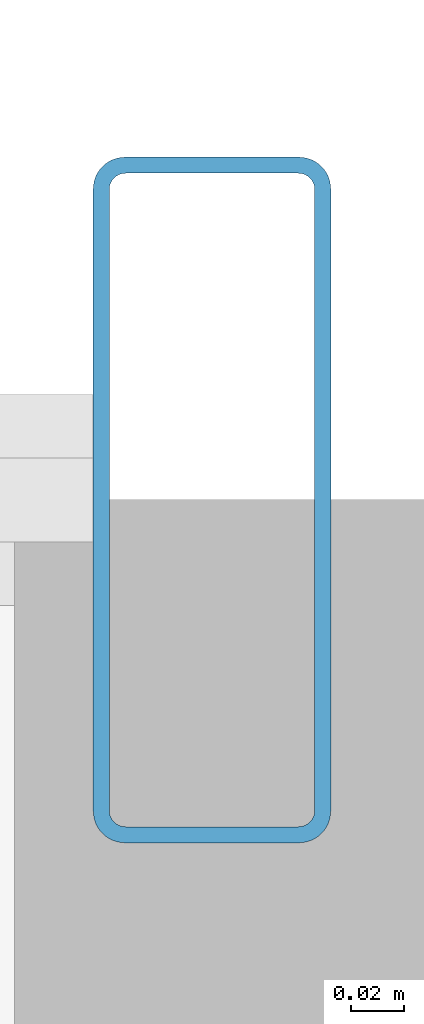
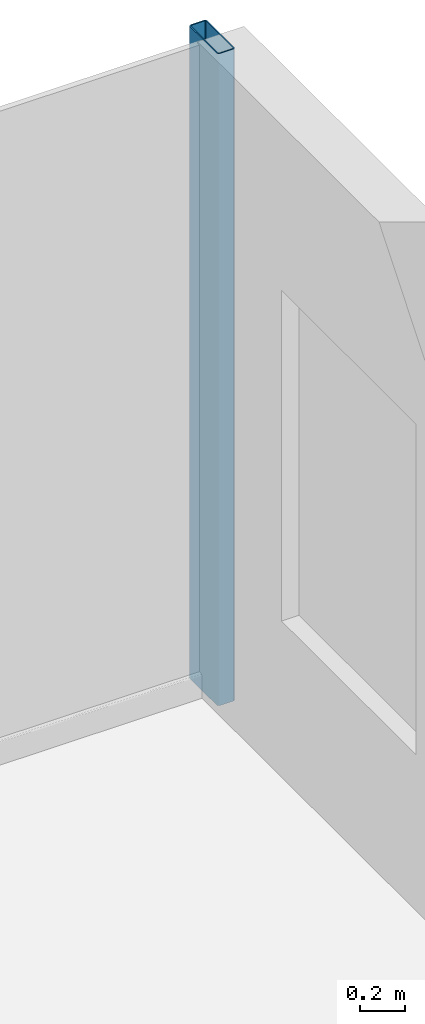
# One storey, part 17 of 29: 1 member, 1 element without a shape of its own.
"""IFC4 building model written with IfcOpenShell, lengths in metres."""

import ifcopenshell
import ifcopenshell.guid

model = None  # the IFC model being written
_history = None  # IfcOwnerHistory: only IFC2X3 demands one
_inside = {}  # id of a spatial element -> (the spatial element, [elements in it])
_under = {}  # id of a project, library or spatial element -> (it, [spatial elements below it])
_declared = {}  # id of a project -> (the project, [libraries it declares])
_typed = {}  # id of a type object -> (the type object, [elements of that type])
_made_of = {}  # id of a material, layer set ... -> (it, [elements and type objects made of it])


def new_model(schema):
    """Start an empty IFC model of exactly this schema.

    Asked for "IFC4X3", IfcOpenShell would pick the latest addendum, in which some entities
    have other attributes; the version numbers below select the first issue.
    IFC2X3 requires an IfcOwnerHistory on every rooted entity: one is made here for all.
    """
    global model, _history
    if schema == "IFC4X3":
        model = ifcopenshell.file(schema_version=(4, 3, 0, 0))
    else:
        model = ifcopenshell.file(schema=schema)
    _inside.clear()
    _under.clear()
    _declared.clear()
    _typed.clear()
    _made_of.clear()
    _history = None
    if model.schema == "IFC2X3":
        org = make("IfcOrganization", Name="unknown")
        user = make(
            "IfcPersonAndOrganization",
            ThePerson=make("IfcPerson", FamilyName="unknown"),
            TheOrganization=org,
        )
        app = make(
            "IfcApplication",
            ApplicationDeveloper=org,
            Version="unknown",
            ApplicationFullName="unknown",
            ApplicationIdentifier="unknown",
        )
        _history = make(
            "IfcOwnerHistory",
            OwningUser=user,
            OwningApplication=app,
            ChangeAction="ADDED",
            CreationDate=0,
        )
    return model


def make(cls, **values):
    """One entity of the class cls with the attributes given. An attribute that is None is left unset."""
    return model.create_entity(
        cls, **{name: value for name, value in values.items() if value is not None}
    )


def rooted(cls, **values):
    """An entity with a GlobalId (a new one), such as an element, a storey or a relation."""
    return make(cls, GlobalId=ifcopenshell.guid.new(), OwnerHistory=_history, **values)


def si_unit(unit_type, name, prefix=None):
    """IfcSIUnit, for example si_unit("LENGTHUNIT", "METRE", prefix="MILLI")."""
    return make("IfcSIUnit", UnitType=unit_type, Prefix=prefix, Name=name)


def assignment(units):
    """IfcUnitAssignment: the units of a project."""
    return None if units is None else make("IfcUnitAssignment", Units=units)


def point(xyz):
    """IfcCartesianPoint."""
    return None if xyz is None else make("IfcCartesianPoint", Coordinates=xyz)


def direction(xyz):
    """IfcDirection."""
    return None if xyz is None else make("IfcDirection", DirectionRatios=xyz)


def frame(location, z_axis=None, x_axis=None):
    """IfcAxis2Placement3D, a coordinate frame: its origin and axes. An axis left out is left unset."""
    return make(
        "IfcAxis2Placement3D",
        Location=point(location),
        Axis=direction(z_axis),
        RefDirection=direction(x_axis),
    )


def frame_2d(location, x_axis=None):
    """IfcAxis2Placement2D, a coordinate frame in the plane: its origin and x axis."""
    return make(
        "IfcAxis2Placement2D", Location=point(location), RefDirection=direction(x_axis)
    )


def origin():
    """The frame at (0, 0, 0) with its axes left unset."""
    return frame((0.0, 0.0, 0.0))


def origin_2d():
    """The frame at (0, 0) in the plane with its x axis left unset."""
    return frame_2d((0.0, 0.0))


def place(relative_to, where):
    """IfcLocalPlacement: puts the frame where relative to a parent placement (None: the world)."""
    return make(
        "IfcLocalPlacement", PlacementRelTo=relative_to, RelativePlacement=where
    )


def context(
    kind, dimensions, precision=None, world=None, true_north=None, identifier=None
):
    """IfcGeometricRepresentationContext, for example the 3D "Model" context."""
    return make(
        "IfcGeometricRepresentationContext",
        ContextIdentifier=identifier,
        ContextType=kind,
        CoordinateSpaceDimension=dimensions,
        Precision=precision,
        WorldCoordinateSystem=world,
        TrueNorth=true_north,
    )


def subcontext(parent, identifier, kind, view, scale=None):
    """IfcGeometricRepresentationSubContext, for example "Body" below "Model"."""
    return make(
        "IfcGeometricRepresentationSubContext",
        ContextIdentifier=identifier,
        ContextType=kind,
        ParentContext=parent,
        TargetScale=scale,
        TargetView=view,
    )


def project(units=None, contexts=None):
    """IfcProject with its units and contexts."""
    return rooted(
        "IfcProject",
        Name="project",
        RepresentationContexts=contexts,
        UnitsInContext=assignment(units),
    )


def spatial(cls, under=None, at=None, **own):
    """A site, building, storey or space (cls), placed at a placement, below another one or the project."""
    s = rooted(cls, ObjectPlacement=at, **own)
    if under is not None:
        _under.setdefault(under.id(), (under, []))[1].append(s)
    return s


def profile(cls, at=None, kind="AREA", **sizes):
    """A parametric profile (cls). Its sizes go by their IFC names, for example OverallWidth=200.0."""
    return make(cls, ProfileType=kind, Position=at, **sizes)


def hollow_rectangle(**sizes):
    """IfcRectangleHollowProfileDef."""
    return profile("IfcRectangleHollowProfileDef", **sizes)


def extrude(swept, where, along, depth):
    """IfcExtrudedAreaSolid: the profile swept, set in the frame where, extruded along a direction by depth."""
    return make(
        "IfcExtrudedAreaSolid",
        SweptArea=swept,
        Position=where,
        ExtrudedDirection=direction(along),
        Depth=depth,
    )


def shape(context_of_items, identifier, shape_type, items):
    """IfcShapeRepresentation: the items that make up one representation, for example the "Body"."""
    return make(
        "IfcShapeRepresentation",
        ContextOfItems=context_of_items,
        RepresentationIdentifier=identifier,
        RepresentationType=shape_type,
        Items=items,
    )


def source(mapping_origin, context_of_items, identifier, shape_type, items):
    """IfcRepresentationMap: a shape defined once, which mapped items show again and again."""
    return make(
        "IfcRepresentationMap",
        MappingOrigin=mapping_origin,
        MappedRepresentation=shape(context_of_items, identifier, shape_type, items),
    )


def transform(
    local_origin,
    x_axis=None,
    y_axis=None,
    z_axis=None,
    scale=None,
    scale2=None,
    scale3=None,
    uniform=True,
):
    """IfcCartesianTransformationOperator3D, or its non-uniform kind. x_axis, y_axis, z_axis: its Axis1, 2, 3."""
    if uniform:
        return make(
            "IfcCartesianTransformationOperator3D",
            Axis1=direction(x_axis),
            Axis2=direction(y_axis),
            LocalOrigin=point(local_origin),
            Scale=scale,
            Axis3=direction(z_axis),
        )
    return make(
        "IfcCartesianTransformationOperator3DnonUniform",
        Axis1=direction(x_axis),
        Axis2=direction(y_axis),
        LocalOrigin=point(local_origin),
        Scale=scale,
        Axis3=direction(z_axis),
        Scale2=scale2,
        Scale3=scale3,
    )


def mapped(mapping_source, mapping_target):
    """IfcMappedItem: shows the shape of a source again, moved by a transform."""
    return make(
        "IfcMappedItem", MappingSource=mapping_source, MappingTarget=mapping_target
    )


def material(Name=None, Category=None):
    """IfcMaterial."""
    return make("IfcMaterial", Name=Name, Category=Category)


def layer(
    of_material, thickness, ventilated=None, Name=None, Category=None, Priority=None
):
    """IfcMaterialLayer: one layer of a wall or slab, of a material (None: an air gap)."""
    return make(
        "IfcMaterialLayer",
        Material=of_material,
        LayerThickness=thickness,
        IsVentilated=ventilated,
        Name=Name,
        Category=Category,
        Priority=Priority,
    )


def layer_set(layers, Name=None):
    """IfcMaterialLayerSet."""
    return make("IfcMaterialLayerSet", MaterialLayers=layers, LayerSetName=Name)


def material_profile(
    of_material, cross_section, Name=None, Category=None, Priority=None
):
    """IfcMaterialProfile: a cross section and its material."""
    return make(
        "IfcMaterialProfile",
        Name=Name,
        Material=of_material,
        Profile=cross_section,
        Priority=Priority,
        Category=Category,
    )


def profile_set(profiles, Name=None, composite=None):
    """IfcMaterialProfileSet."""
    return make(
        "IfcMaterialProfileSet",
        Name=Name,
        MaterialProfiles=profiles,
        CompositeProfile=composite,
    )


def made_of(thing, what):
    """Note that an element or type object is made of a material, layer set ...; save() writes the relation."""
    if what is not None:
        _made_of.setdefault(what.id(), (what, []))[1].append(thing)
    return thing


def type_object(cls, material=None, **own):
    """A type object (cls), such as IfcWallType, which elements share."""
    return made_of(rooted(cls, **own), material)


def element(
    cls,
    number,
    at=None,
    inside=None,
    cuts=None,
    type_object=None,
    material=None,
    context=None,
    identifier="Body",
    shape_type=None,
    held_by="IfcProductDefinitionShape",
    body=None,
    shapes=None,
    **own,
):
    """One element of the class cls, such as IfcWall. Its Tag is "e" and its number.

    at: its placement. inside: the storey or other place that contains it. cuts: it is an
    opening in that element (IfcRelVoidsElement). A single representation is given by context,
    identifier, shape_type and body (its items); several are given by shapes. held_by: the class
    of the entity that holds the representations. save() writes the other relations.
    """
    e = rooted(cls, Tag="e%d" % number, ObjectPlacement=at, **own)
    if body is not None:
        shapes = [shape(context, identifier, shape_type, body)]
    if shapes is not None:
        e.Representation = make(held_by, Representations=shapes)
    if inside is not None:
        _inside.setdefault(inside.id(), (inside, []))[1].append(e)
    if cuts is not None:
        rooted(
            "IfcRelVoidsElement", RelatingBuildingElement=cuts, RelatedOpeningElement=e
        )
    if type_object is not None:
        _typed.setdefault(type_object.id(), (type_object, []))[1].append(e)
    return made_of(e, material)


def aggregate(whole, parts):
    """IfcRelAggregates: a whole, such as a stair, and the parts it consists of."""
    return rooted("IfcRelAggregates", RelatingObject=whole, RelatedObjects=parts)


def save(model, path):
    """Write the relations noted so far, then the file.

    IfcRelAggregates (storeys below a building ...), IfcRelContainedInSpatialStructure (elements
    in a storey), IfcRelDefinesByType, IfcRelAssociatesMaterial and IfcRelDeclares: one each for
    every whole, place, type object, material and project.
    """
    for whole, parts in _under.values():
        aggregate(whole, parts)
    for where, things in _inside.values():
        rooted(
            "IfcRelContainedInSpatialStructure",
            RelatedElements=things,
            RelatingStructure=where,
        )
    for kind, things in _typed.values():
        rooted("IfcRelDefinesByType", RelatedObjects=things, RelatingType=kind)
    for what, things in _made_of.values():
        rooted("IfcRelAssociatesMaterial", RelatedObjects=things, RelatingMaterial=what)
    for by, libraries in _declared.values():
        rooted("IfcRelDeclares", RelatingContext=by, RelatedDefinitions=libraries)
    model.write(path)


model = new_model("IFC4")

# Units and contexts
model_context = context("Model", 3, precision=1e-05, world=origin(), true_north=direction((0.0, 1.0)))
body_context = subcontext(model_context, "Body", "Model", "MODEL_VIEW")
ifc_project = project(units=[si_unit("LENGTHUNIT", "METRE"), si_unit("AREAUNIT", "SQUARE_METRE"), si_unit("VOLUMEUNIT", "CUBIC_METRE"), si_unit("PLANEANGLEUNIT", "RADIAN"), si_unit("MASSUNIT", "GRAM", prefix="KILO")], contexts=[model_context])

# Site, building, storey
site_placement = place(None, origin())
site = spatial("IfcSite", under=ifc_project, at=site_placement, CompositionType="ELEMENT")
building_placement = place(site_placement, origin())
building = spatial("IfcBuilding", under=site, at=building_placement, Name="Nefas-Gora Pilgrimage Tower", CompositionType="ELEMENT")
storey_placement = place(building_placement, frame((0.0, 0.0, 55.800048828125)))
storey = spatial("IfcBuildingStorey", under=building, at=storey_placement, Name="L12", CompositionType="ELEMENT", Elevation=55.800048828125)

# Curtain wall, member
ifc_material_1 = material(Name="Dark ceramic-fritted solar-control aluminium-glass curtain wall", Category="aluminium")
ifc_layer = layer(ifc_material_1, 0.219970703125)
ifc_layer_set = layer_set([ifc_layer], Name="Dark ceramic-fritted solar-control aluminium-glass curtain wall")
curtain_wall_type = type_object("IfcCurtainWallType", Name="CW-SYS-2", PredefinedType="NOTDEFINED", material=ifc_layer_set)
curtain_wall_placement = place(storey_placement, origin())
curtain_wall = element("IfcCurtainWall", 1, at=curtain_wall_placement, inside=storey, type_object=curtain_wall_type, Name="L12 Unitised Curtain Wall CW2", PredefinedType="NOTDEFINED")
ifc_material_2 = material(Name="Anodised architectural aluminium", Category="aluminium")
ifc_material_profile = material_profile(ifc_material_2, hollow_rectangle(XDim=0.090087890625, YDim=0.260009765625, WallThickness=0.006103515625, InnerFilletRadius=0.006103515625, OuterFilletRadius=0.011962890625, at=origin_2d()), Name="ALU MULLION 90x260")
ifc_profile_set = profile_set([ifc_material_profile], Name="Anodised architectural aluminium")
member_type = type_object("IfcMemberType", Name="CWM-MUL-2", PredefinedType="MULLION", material=ifc_profile_set)
shared_shape = source(origin(), body_context, "Body", "SweptSolid", [
    extrude(hollow_rectangle(XDim=0.090087890625, YDim=0.260009765625, WallThickness=0.006103515625, InnerFilletRadius=0.006103515625, OuterFilletRadius=0.011962890625, at=origin_2d()), origin(), (0.0, 0.0, 1.0), 3.550048828125),
])
member_placement = place(storey_placement, frame((28.824951171875, 23.02001953125, 0.0), z_axis=(0.0, 0.0, 1.0), x_axis=(-1.0, 0.0, 0.0)))
member = element("IfcMember", 2, at=member_placement, type_object=member_type, Name="CW2 Mullion 1", PredefinedType="MULLION", context=body_context, shape_type="MappedRepresentation", body=[
    mapped(shared_shape, transform((0.0, 0.0, 0.0), x_axis=(1.0, 0.0, 0.0), y_axis=(0.0, 1.0, 0.0), z_axis=(0.0, 0.0, 1.0), scale=1.0)),
])
aggregate(curtain_wall, [member])

save(model, "model.ifc")
